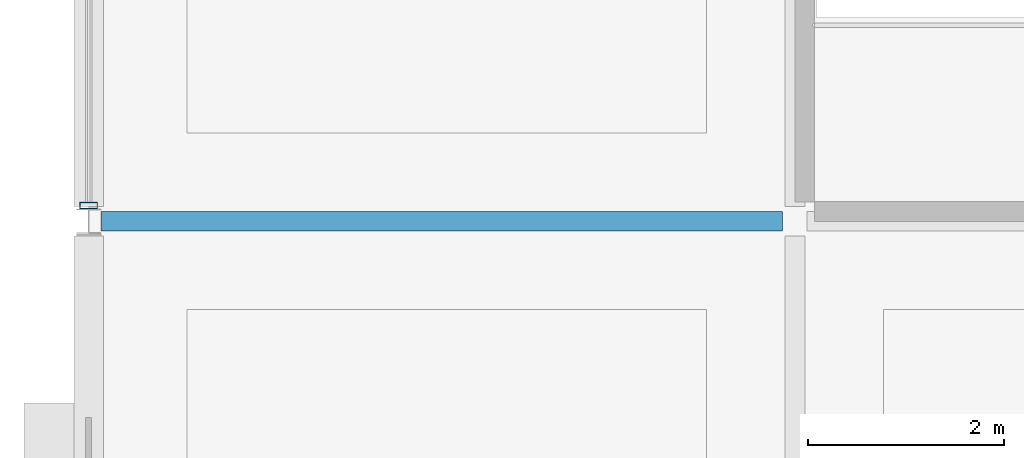
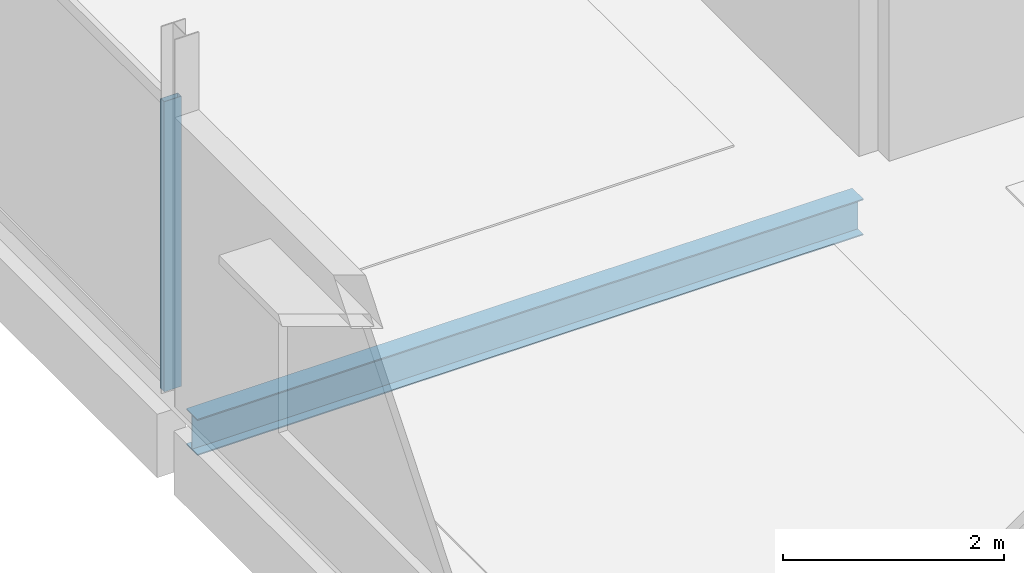
# One storey, part 13 of 107: 1 beam, 1 member, 1 element without a shape of its own.
"""IFC4 building model written with IfcOpenShell, lengths in metres."""

from ifc_helpers import new_model, si_unit, direction, frame, origin, origin_2d, place, context, subcontext, project, spatial, hollow_rectangle, i_section, extrude, material, layer, layer_set, material_profile, profile_set, type_object, element, aggregate, save


model = new_model("IFC4")

# Units and contexts
model_context = context("Model", 3, precision=1e-05, world=origin(), true_north=direction((0.0, 1.0)))
body_context = subcontext(model_context, "Body", "Model", "MODEL_VIEW")
ifc_project = project(units=[si_unit("LENGTHUNIT", "METRE"), si_unit("AREAUNIT", "SQUARE_METRE"), si_unit("VOLUMEUNIT", "CUBIC_METRE"), si_unit("PLANEANGLEUNIT", "RADIAN"), si_unit("MASSUNIT", "GRAM", prefix="KILO")], contexts=[model_context])

# Site, building, storey
site_placement = place(None, origin())
site = spatial("IfcSite", under=ifc_project, at=site_placement, CompositionType="ELEMENT")
building_placement = place(site_placement, origin())
building = spatial("IfcBuilding", under=site, at=building_placement, Name="Kangsadwip Square Police Headquarters", CompositionType="ELEMENT")
storey_placement = place(building_placement, frame((0.0, 0.0, 5.39990234375)))
storey = spatial("IfcBuildingStorey", under=building, at=storey_placement, Name="L01", CompositionType="ELEMENT", Elevation=5.39990234375)

# Curtain wall, member
ifc_material_1 = material(Name="Thermally broken anodised aluminium AW-6063-T6", Category="aluminium")
ifc_layer = layer(ifc_material_1, 0.159912109375)
ifc_layer_set = layer_set([ifc_layer], Name="Thermally broken anodised aluminium AW-6063-T6")
curtain_wall_type = type_object("IfcCurtainWallType", Name="UnitisedCw6944x3200", PredefinedType="NOTDEFINED", material=ifc_layer_set)
curtain_wall_placement = place(storey_placement, origin())
curtain_wall = element("IfcCurtainWall", 1, at=curtain_wall_placement, inside=storey, type_object=curtain_wall_type, Name="Curtain Wall CW-L01-0000-0073", PredefinedType="NOTDEFINED")
ifc_material_2 = material(Name="Thermally broken anodised aluminium AW-6063-T6", Category="aluminium")
ifc_material_profile_1 = material_profile(ifc_material_2, hollow_rectangle(XDim=0.06494140625, YDim=0.179931640625, WallThickness=0.00390625, at=origin_2d()), Name="CWM 180X65X4")
ifc_profile_set_1 = profile_set([ifc_material_profile_1], Name="Thermally broken anodised aluminium AW-6063-T6")
member_type = type_object("IfcMemberType", Name="CwMullion160x65", PredefinedType="MULLION", material=ifc_profile_set_1)
member_placement = place(storey_placement, frame((0.0, 7.360595703125, 0.0), z_axis=(0.0, 0.0, 1.0), x_axis=(0.0, 1.0, 0.0)))
member = element("IfcMember", 2, at=member_placement, type_object=member_type, Name="CW-27 mullion 1", PredefinedType="MULLION", context=body_context, shape_type="SweptSolid", body=[
    extrude(hollow_rectangle(XDim=0.06494140625, YDim=0.179931640625, WallThickness=0.00390625, at=origin_2d()), origin(), (0.0, 0.0, 1.0), 3.2001953125),
])
aggregate(curtain_wall, [member])

# Beam
ifc_material_3 = material(Name="Structural steel IS 2062 E350 (Grade 350, 350 MPa)", Category="steel")
ifc_material_profile_2 = material_profile(ifc_material_3, i_section(OverallWidth=0.199951171875, OverallDepth=0.39990234375, WebThickness=0.008544921875, FlangeThickness=0.012939453125, at=origin_2d()), Name="ISWB 400")
ifc_profile_set_2 = profile_set([ifc_material_profile_2], Name="Structural steel IS 2062 E350 (Grade 350, 350 MPa)")
beam_type = type_object("IfcBeamType", Name="SteelBeamIswb400", PredefinedType="BEAM", material=ifc_profile_set_2)
beam_placement = place(storey_placement, frame((0.125, 7.199951171875, -0.43994140625), z_axis=(1.0, 0.0, 0.0), x_axis=(0.0, 1.0, 0.0)))
element("IfcBeam", 3, at=beam_placement, inside=storey, type_object=beam_type, Name="Beam BM-L01-X-00-01", PredefinedType="BEAM", context=body_context, shape_type="SweptSolid", body=[
    extrude(i_section(OverallWidth=0.199951171875, OverallDepth=0.39990234375, WebThickness=0.008544921875, FlangeThickness=0.012939453125, at=origin_2d()), origin(), (0.0, 0.0, 1.0), 6.949951171875),
])

save(model, "model.ifc")
